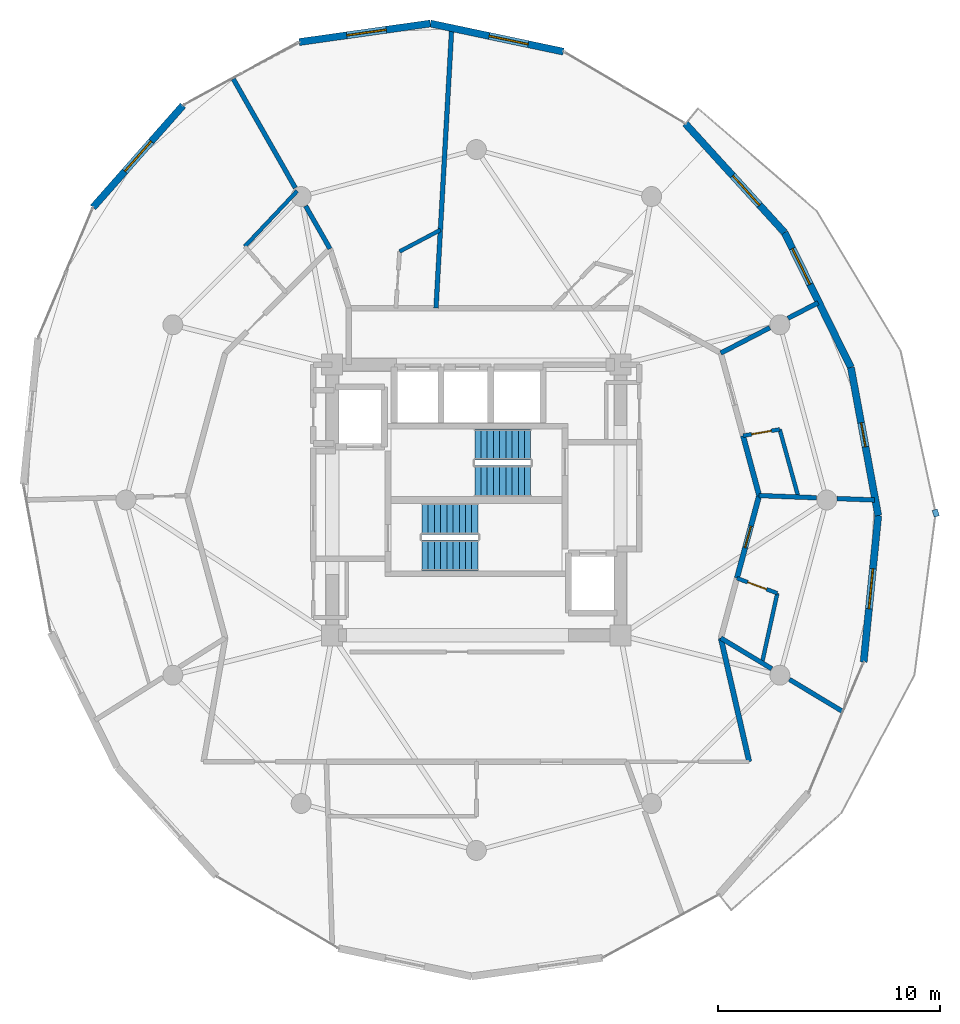
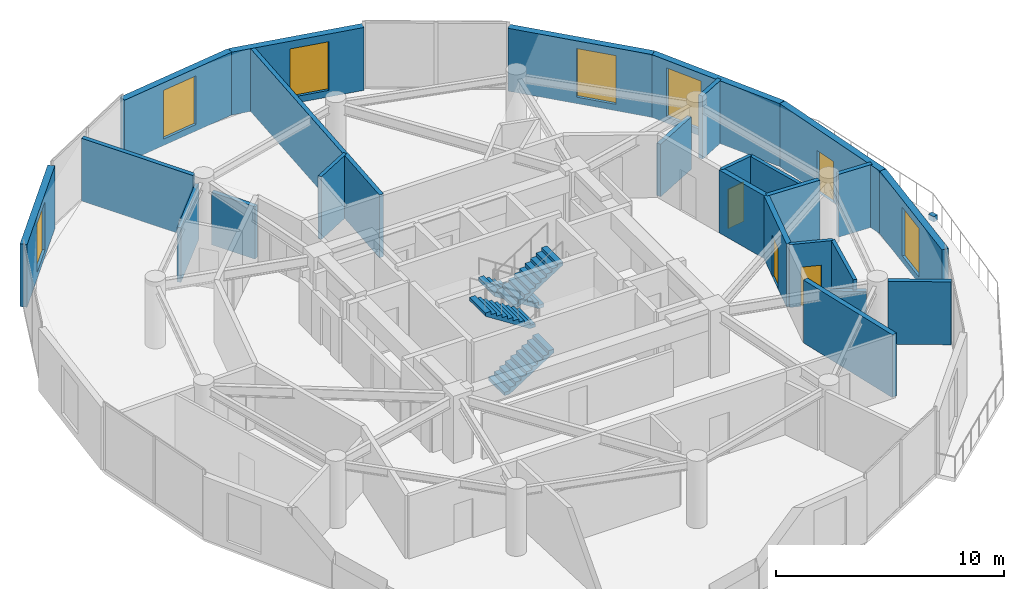
# One storey, part 19 of 21: 25 walls, 6 windows, 4 doors, 4 stair flights, 1 discrete accessory, 10 openings, 2 elements without a shape of their own.
"""IFC4 building model written with IfcOpenShell, lengths in metres."""

from ifc_helpers import new_model, si_unit, direction, frame, frame_2d, origin, origin_2d, place, context, subcontext, project, spatial, polyline, rectangle, outline, extrude, material, layer, layer_set, type_object, element, fill, aggregate, save


model = new_model("IFC4")

# Units and contexts
model_context = context("Model", 3, precision=1e-05, world=origin(), true_north=direction((0.0, 1.0)))
body_context = subcontext(model_context, "Body", "Model", "MODEL_VIEW")
ifc_project = project(units=[si_unit("LENGTHUNIT", "METRE"), si_unit("AREAUNIT", "SQUARE_METRE"), si_unit("VOLUMEUNIT", "CUBIC_METRE"), si_unit("PLANEANGLEUNIT", "RADIAN"), si_unit("MASSUNIT", "GRAM", prefix="KILO")], contexts=[model_context])

# Site, building, storey
site_placement = place(None, origin())
site = spatial("IfcSite", under=ifc_project, at=site_placement, CompositionType="ELEMENT")
building_placement = place(site_placement, origin())
building = spatial("IfcBuilding", under=site, at=building_placement, Name="Solvirekh Grand Hotel", CompositionType="ELEMENT")
storey_placement = place(building_placement, frame((0.0, 0.0, 223.60009765625)))
storey = spatial("IfcBuildingStorey", under=building, at=storey_placement, Name="L58", CompositionType="ELEMENT", Elevation=223.60009765625)

# Wall, opening, window
ifc_material_1 = material(Name="Precast concrete C45/55", Category="concrete")
ifc_layer_1 = layer(ifc_material_1, 0.320068359375)
ifc_layer_set_1 = layer_set([ifc_layer_1], Name="Precast concrete C45/55")
wall_type_1 = type_object("IfcWallType", Name="ExtLobbyWall_RC320", PredefinedType="SOLIDWALL", material=ifc_layer_set_1)
wall_1_placement = place(storey_placement, frame((18.116943359375, -0.700927734375, 0.0), z_axis=(0.0, 0.0, 1.0), x_axis=(-0.098848078175, -0.995102536144, 0.0)))
wall_1 = element("IfcWall", 1, at=wall_1_placement, inside=storey, type_object=wall_type_1, Name="L58 exterior structural wall chord 4", PredefinedType="SOLIDWALL", context=body_context, shape_type="SweptSolid", body=[
    extrude(rectangle(XDim=6.636474609375, YDim=0.320068359375, at=frame_2d((3.318359375, 0.0))), origin(), (0.0, 0.0, 1.0), 3.35986328125),
])
opening_1_placement = place(wall_1_placement, frame((2.41796875, 0.0, 0.35009765625)))
opening_1 = element("IfcOpeningElement", 2, at=opening_1_placement, cuts=wall_1, Name="Opening W02", PredefinedType="OPENING", context=body_context, shape_type="SweptSolid", body=[
    extrude(rectangle(XDim=1.800048828125, YDim=2.60009765625, at=frame_2d((0.89990234375, 1.300048828125))), frame((0.0, 0.169921875, 0.0), z_axis=(0.0, -1.0, 0.0), x_axis=(1.0, 0.0, 0.0)), (0.0, 0.0, 1.0), 0.340087890625),
])
ifc_material_2 = material(Name="Low-E Tinted Bronze Laminated Glass", Category="aluminium")
window_type = type_object("IfcWindowType", Name="Win_LobbyExt_1800X2600", PartitioningType="SINGLE_PANEL", PredefinedType="WINDOW", material=ifc_material_2)
window_1_placement = place(opening_1_placement, origin())
window_1 = element("IfcWindow", 3, at=window_1_placement, inside=storey, type_object=window_type, Name="L58 panoramic bronze-framed window 4", OverallHeight=2.60009765625, OverallWidth=1.800048828125, PartitioningType="SINGLE_PANEL", PredefinedType="WINDOW", context=body_context, shape_type="SweptSolid", body=[
    extrude(rectangle(XDim=1.800048828125, YDim=2.60009765625, at=frame_2d((0.89990234375, 1.300048828125))), frame((0.0, 0.030029296875, 0.0), z_axis=(0.0, -1.0, 0.0), x_axis=(1.0, 0.0, 0.0)), (0.0, 0.0, 1.0), 0.06005859375),
])
fill(opening_1, window_1)

# Wall, opening, door
wall_2_placement = place(storey_placement, frame((16.886962890625, 5.971923828125, 0.0), z_axis=(0.0, 0.0, 1.0), x_axis=(0.181272323457, -0.983432938613, 0.0)))
wall_2 = element("IfcWall", 4, at=wall_2_placement, inside=storey, type_object=wall_type_1, Name="L58 exterior structural wall chord 5", PredefinedType="SOLIDWALL", context=body_context, shape_type="SweptSolid", body=[
    extrude(rectangle(XDim=6.78515625, YDim=0.320068359375, at=frame_2d((3.392578125, 0.0))), origin(), (0.0, 0.0, 1.0), 3.35986328125),
])
opening_2_placement = place(wall_2_placement, frame((2.532958984375, 0.0, 0.0)))
opening_2 = element("IfcOpeningElement", 5, at=opening_2_placement, cuts=wall_2, Name="Opening D03", PredefinedType="OPENING", context=body_context, shape_type="SweptSolid", body=[
    extrude(rectangle(XDim=1.10009765625, YDim=2.199951171875, at=frame_2d((0.550048828125, 1.10009765625))), frame((0.0, 0.169921875, 0.0), z_axis=(0.0, -1.0, 0.0), x_axis=(1.0, 0.0, 0.0)), (0.0, 0.0, 1.0), 0.340087890625),
])
ifc_material_3 = material(Name="Anodized Bronze Aluminium 6063-T6", Category="aluminium")
door_type_1 = type_object("IfcDoorType", Name="Door_ExtBalcony_1100X2200", OperationType="NOTDEFINED", PredefinedType="DOOR", material=ifc_material_3)
door_1_placement = place(opening_2_placement, origin())
door_1 = element("IfcDoor", 6, at=door_1_placement, inside=storey, type_object=door_type_1, Name="L58 Crescent balcony glazed door (5)", OperationType="SINGLE_SWING_RIGHT", OverallHeight=2.199951171875, OverallWidth=1.10009765625, PredefinedType="DOOR", context=body_context, shape_type="SweptSolid", body=[
    extrude(rectangle(XDim=1.10009765625, YDim=2.199951171875, at=frame_2d((0.550048828125, 1.10009765625))), frame((0.0, 0.02490234375, 0.0), z_axis=(0.0, -1.0, 0.0), x_axis=(1.0, 0.0, 0.0)), (0.0, 0.0, 1.0), 0.050048828125),
])
fill(opening_2, door_1)

# Wall, opening, window
wall_3_placement = place(storey_placement, frame((13.89208984375, 12.06005859375, 0.0), z_axis=(0.0, 0.0, 1.0), x_axis=(0.441403728123, -0.897308614022, 0.0)))
wall_3 = element("IfcWall", 7, at=wall_3_placement, inside=storey, type_object=wall_type_1, Name="L58 exterior structural wall chord 6", PredefinedType="SOLIDWALL", context=body_context, shape_type="SweptSolid", body=[
    extrude(rectangle(XDim=6.784912109375, YDim=0.320068359375, at=frame_2d((3.392578125, 0.0))), origin(), (0.0, 0.0, 1.0), 3.35986328125),
])
opening_3_placement = place(wall_3_placement, frame((0.803955078125, 0.0, 0.35009765625)))
opening_3 = element("IfcOpeningElement", 8, at=opening_3_placement, cuts=wall_3, Name="Opening W02", PredefinedType="OPENING", context=body_context, shape_type="SweptSolid", body=[
    extrude(rectangle(XDim=1.800048828125, YDim=2.60009765625, at=frame_2d((0.89990234375, 1.300048828125))), frame((0.0, 0.169921875, 0.0), z_axis=(0.0, -1.0, 0.0), x_axis=(1.0, 0.0, 0.0)), (0.0, 0.0, 1.0), 0.340087890625),
])
window_2_placement = place(opening_3_placement, origin())
window_2 = element("IfcWindow", 9, at=window_2_placement, inside=storey, type_object=window_type, Name="L58 panoramic bronze-framed window 6", OverallHeight=2.60009765625, OverallWidth=1.800048828125, PartitioningType="SINGLE_PANEL", PredefinedType="WINDOW", context=body_context, shape_type="SweptSolid", body=[
    extrude(rectangle(XDim=1.800048828125, YDim=2.60009765625, at=frame_2d((0.89990234375, 1.300048828125))), frame((0.0, 0.030029296875, 0.0), z_axis=(0.0, -1.0, 0.0), x_axis=(1.0, 0.0, 0.0)), (0.0, 0.0, 1.0), 0.06005859375),
])
fill(opening_3, window_2)

wall_4_placement = place(storey_placement, frame((9.424072265625, 16.968017578125, 0.0), z_axis=(0.0, 0.0, 1.0), x_axis=(0.673187110457, -0.739472186302, 0.0)))
wall_4 = element("IfcWall", 10, at=wall_4_placement, inside=storey, type_object=wall_type_1, Name="L58 exterior structural wall chord 7", PredefinedType="SOLIDWALL", context=body_context, shape_type="SweptSolid", body=[
    extrude(rectangle(XDim=6.63720703125, YDim=0.320068359375, at=frame_2d((3.318603515625, 0.0))), origin(), (0.0, 0.0, 1.0), 3.35986328125),
])
opening_4_placement = place(wall_4_placement, frame((3.1650390625, 0.0, 0.35009765625)))
opening_4 = element("IfcOpeningElement", 11, at=opening_4_placement, cuts=wall_4, Name="Opening W02", PredefinedType="OPENING", context=body_context, shape_type="SweptSolid", body=[
    extrude(rectangle(XDim=1.800048828125, YDim=2.60009765625, at=frame_2d((0.89990234375, 1.300048828125))), frame((0.0, 0.169921875, 0.0), z_axis=(0.0, -1.0, 0.0), x_axis=(1.0, 0.0, 0.0)), (0.0, 0.0, 1.0), 0.340087890625),
])
window_3_placement = place(opening_4_placement, origin())
window_3 = element("IfcWindow", 12, at=window_3_placement, inside=storey, type_object=window_type, Name="L58 panoramic bronze-framed window 7", OverallHeight=2.60009765625, OverallWidth=1.800048828125, PartitioningType="SINGLE_PANEL", PredefinedType="WINDOW", context=body_context, shape_type="SweptSolid", body=[
    extrude(rectangle(XDim=1.800048828125, YDim=2.60009765625, at=frame_2d((0.89990234375, 1.300048828125))), frame((0.0, 0.030029296875, 0.0), z_axis=(0.0, -1.0, 0.0), x_axis=(1.0, 0.0, 0.0)), (0.0, 0.0, 1.0), 0.06005859375),
])
fill(opening_4, window_3)

wall_5_placement = place(storey_placement, frame((-2.077880859375, 21.48291015625, 0.0), z_axis=(0.0, 0.0, 1.0), x_axis=(0.978387673067, -0.206779015353, 0.0)))
wall_5 = element("IfcWall", 13, at=wall_5_placement, inside=storey, type_object=wall_type_1, Name="L58 exterior structural wall chord 9", PredefinedType="SOLIDWALL", context=body_context, shape_type="SweptSolid", body=[
    extrude(rectangle(XDim=6.13134765625, YDim=0.320068359375, at=frame_2d((3.065673828125, 0.0))), origin(), (0.0, 0.0, 1.0), 3.35986328125),
])
opening_5_placement = place(wall_5_placement, frame((2.712890625, 0.0, 0.35009765625)))
opening_5 = element("IfcOpeningElement", 14, at=opening_5_placement, cuts=wall_5, Name="Opening W02", PredefinedType="OPENING", context=body_context, shape_type="SweptSolid", body=[
    extrude(rectangle(XDim=1.800048828125, YDim=2.60009765625, at=frame_2d((0.89990234375, 1.300048828125))), frame((0.0, 0.169921875, 0.0), z_axis=(0.0, -1.0, 0.0), x_axis=(1.0, 0.0, 0.0)), (0.0, 0.0, 1.0), 0.340087890625),
])
window_4_placement = place(opening_5_placement, origin())
window_4 = element("IfcWindow", 15, at=window_4_placement, inside=storey, type_object=window_type, Name="L58 panoramic bronze-framed window 9", OverallHeight=2.60009765625, OverallWidth=1.800048828125, PartitioningType="SINGLE_PANEL", PredefinedType="WINDOW", context=body_context, shape_type="SweptSolid", body=[
    extrude(rectangle(XDim=1.800048828125, YDim=2.60009765625, at=frame_2d((0.89990234375, 1.300048828125))), frame((0.0, 0.030029296875, 0.0), z_axis=(0.0, -1.0, 0.0), x_axis=(1.0, 0.0, 0.0)), (0.0, 0.0, 1.0), 0.06005859375),
])
fill(opening_5, window_4)

wall_6_placement = place(storey_placement, frame((-7.987060546875, 20.64794921875, 0.0), z_axis=(0.0, 0.0, 1.0), x_axis=(0.990164339135, 0.13990919021, 0.0)))
wall_6 = element("IfcWall", 16, at=wall_6_placement, inside=storey, type_object=wall_type_1, Name="L58 exterior structural wall chord 10", PredefinedType="SOLIDWALL", context=body_context, shape_type="SweptSolid", body=[
    extrude(rectangle(XDim=5.9677734375, YDim=0.320068359375, at=frame_2d((2.98388671875, 0.0))), origin(), (0.0, 0.0, 1.0), 3.35986328125),
])
opening_6_placement = place(wall_6_placement, frame((2.1669921875, 0.0, 0.35009765625)))
opening_6 = element("IfcOpeningElement", 17, at=opening_6_placement, cuts=wall_6, Name="Opening W02", PredefinedType="OPENING", context=body_context, shape_type="SweptSolid", body=[
    extrude(rectangle(XDim=1.800048828125, YDim=2.60009765625, at=frame_2d((0.89990234375, 1.300048828125))), frame((0.0, 0.169921875, 0.0), z_axis=(0.0, -1.0, 0.0), x_axis=(1.0, 0.0, 0.0)), (0.0, 0.0, 1.0), 0.340087890625),
])
window_5_placement = place(opening_6_placement, origin())
window_5 = element("IfcWindow", 18, at=window_5_placement, inside=storey, type_object=window_type, Name="L58 panoramic bronze-framed window 10", OverallHeight=2.60009765625, OverallWidth=1.800048828125, PartitioningType="SINGLE_PANEL", PredefinedType="WINDOW", context=body_context, shape_type="SweptSolid", body=[
    extrude(rectangle(XDim=1.800048828125, YDim=2.60009765625, at=frame_2d((0.89990234375, 1.300048828125))), frame((0.0, 0.030029296875, 0.0), z_axis=(0.0, -1.0, 0.0), x_axis=(1.0, 0.0, 0.0)), (0.0, 0.0, 1.0), 0.06005859375),
])
fill(opening_6, window_5)

wall_7_placement = place(storey_placement, frame((-17.282958984375, 13.194091796875, 0.0), z_axis=(0.0, 0.0, 1.0), x_axis=(0.661613735925, 0.749844826905, 0.0)))
wall_7 = element("IfcWall", 19, at=wall_7_placement, inside=storey, type_object=wall_type_1, Name="L58 exterior structural wall chord 12", PredefinedType="SOLIDWALL", context=body_context, shape_type="SweptSolid", body=[
    extrude(rectangle(XDim=6.1318359375, YDim=0.320068359375, at=frame_2d((3.06591796875, 0.0))), origin(), (0.0, 0.0, 1.0), 3.35986328125),
])
opening_7_placement = place(wall_7_placement, frame((2.166015625, 0.0, 0.35009765625)))
opening_7 = element("IfcOpeningElement", 20, at=opening_7_placement, cuts=wall_7, Name="Opening W02", PredefinedType="OPENING", context=body_context, shape_type="SweptSolid", body=[
    extrude(rectangle(XDim=1.800048828125, YDim=2.60009765625, at=frame_2d((0.89990234375, 1.300048828125))), frame((0.0, 0.169921875, 0.0), z_axis=(0.0, -1.0, 0.0), x_axis=(1.0, 0.0, 0.0)), (0.0, 0.0, 1.0), 0.340087890625),
])
window_6_placement = place(opening_7_placement, origin())
window_6 = element("IfcWindow", 21, at=window_6_placement, inside=storey, type_object=window_type, Name="L58 panoramic bronze-framed window 12", OverallHeight=2.60009765625, OverallWidth=1.800048828125, PartitioningType="SINGLE_PANEL", PredefinedType="WINDOW", context=body_context, shape_type="SweptSolid", body=[
    extrude(rectangle(XDim=1.800048828125, YDim=2.60009765625, at=frame_2d((0.89990234375, 1.300048828125))), frame((0.0, 0.030029296875, 0.0), z_axis=(0.0, -1.0, 0.0), x_axis=(1.0, 0.0, 0.0)), (0.0, 0.0, 1.0), 0.06005859375),
])
fill(opening_7, window_6)

# Wall, opening, door
ifc_material_4 = material(Name="Acoustic Gypsum Partition Assembly")
ifc_layer_2 = layer(ifc_material_4, 0.239990234375)
ifc_layer_set_2 = layer_set([ifc_layer_2], Name="Acoustic Gypsum Partition Assembly")
wall_type_2 = type_object("IfcWallType", Name="Part_Corridor_240", PredefinedType="PARTITIONING", material=ifc_layer_set_2)
wall_8_placement = place(storey_placement, frame((11.748046875, -3.52587890625, 0.0), z_axis=(0.0, 0.0, 1.0), x_axis=(0.259694339612, 0.965690866672, 0.0)))
wall_8 = element("IfcWall", 22, at=wall_8_placement, inside=storey, type_object=wall_type_2, Name="L58 Deluxe Guestroom 6004 entrance wall", PredefinedType="PARTITIONING", context=body_context, shape_type="SweptSolid", body=[
    extrude(rectangle(XDim=3.858154296875, YDim=0.239990234375, at=frame_2d((1.92919921875, 0.0))), origin(), (0.0, 0.0, 1.0), 3.35986328125),
])
opening_8_placement = place(wall_8_placement, frame((1.428955078125, 0.0, 0.0)))
opening_8 = element("IfcOpeningElement", 23, at=opening_8_placement, cuts=wall_8, Name="Opening D07", PredefinedType="OPENING", context=body_context, shape_type="SweptSolid", body=[
    extrude(rectangle(XDim=1.0, YDim=2.199951171875, at=frame_2d((0.5, 1.10009765625))), frame((0.0, 0.1298828125, 0.0), z_axis=(0.0, -1.0, 0.0), x_axis=(1.0, 0.0, 0.0)), (0.0, 0.0, 1.0), 0.260009765625),
])
ifc_material_5 = material(Name="Fire-Rated Steel Door Assembly", Category="steel")
door_type_2 = type_object("IfcDoorType", Name="Door_GuestEntry_1000X2200", OperationType="NOTDEFINED", PredefinedType="DOOR", material=ifc_material_5)
door_2_placement = place(opening_8_placement, origin())
door_2 = element("IfcDoor", 24, at=door_2_placement, inside=storey, type_object=door_type_2, Name="L58 Deluxe Guestroom 6004 entrance door", OperationType="SINGLE_SWING_LEFT", OverallHeight=2.199951171875, OverallWidth=1.0, PredefinedType="DOOR", context=body_context, shape_type="SweptSolid", body=[
    extrude(rectangle(XDim=1.0, YDim=2.199951171875, at=frame_2d((0.5, 1.10009765625))), frame((0.0, 0.02490234375, 0.0), z_axis=(0.0, -1.0, 0.0), x_axis=(1.0, 0.0, 0.0)), (0.0, 0.0, 1.0), 0.050048828125),
])
fill(opening_8, door_2)

# Walls
wall_9_placement = place(storey_placement, frame((12.75, 0.199951171875, 0.0), z_axis=(0.0, 0.0, 1.0), x_axis=(-0.259870061474, 0.965643594267, 0.0)))
element("IfcWall", 25, at=wall_9_placement, inside=storey, type_object=wall_type_2, Name="L58 En-suite Bathroom 6005 corridor backing wall", PredefinedType="PARTITIONING", context=body_context, shape_type="SweptSolid", body=[
    extrude(rectangle(XDim=2.7939453125, YDim=0.239990234375, at=frame_2d((1.39697265625, 0.0))), origin(), (0.0, 0.0, 1.0), 3.35986328125),
])
wall_10_placement = place(storey_placement, frame((12.300048828125, -11.800048828125, 0.0), z_axis=(0.0, 0.0, 1.0), x_axis=(-0.223456421134, 0.974713921032, 0.0)))
element("IfcWall", 26, at=wall_10_placement, inside=storey, type_object=wall_type_2, Name="L58 L58 Butler Valet & Linen Steward Room corridor wall 1", PredefinedType="PARTITIONING", context=body_context, shape_type="SweptSolid", body=[
    extrude(rectangle(XDim=5.719482421875, YDim=0.239990234375, at=frame_2d((2.85986328125, 0.0))), origin(), (0.0, 0.0, 1.0), 3.35986328125),
])
ifc_layer_3 = layer(ifc_material_4, 0.2099609375)
ifc_layer_set_3 = layer_set([ifc_layer_3], Name="Acoustic Gypsum Partition Assembly")
wall_type_3 = type_object("IfcWallType", Name="Part_SuiteDemise_210", PredefinedType="PARTITIONING", material=ifc_layer_set_3)
wall_11_placement = place(storey_placement, frame((12.75, 0.199951171875, 0.0), z_axis=(0.0, 0.0, 1.0), x_axis=(0.999258251159, -0.038509057262, 0.0)))
element("IfcWall", 27, at=wall_11_placement, inside=storey, type_object=wall_type_3, Name="L58 suite radial wall 1 (A)", PredefinedType="PARTITIONING", context=body_context, shape_type="SweptSolid", body=[
    extrude(rectangle(XDim=2.593017578125, YDim=0.2099609375, at=frame_2d((1.29638671875, 0.0))), origin(), (0.0, 0.0, 1.0), 3.35986328125),
])
wall_12_placement = place(storey_placement, frame((16.26611328125, 0.06494140625, 0.0), z_axis=(0.0, 0.0, 1.0), x_axis=(0.999255378418, -0.03858352891, 0.0)))
element("IfcWall", 28, at=wall_12_placement, inside=storey, type_object=wall_type_3, Name="L58 suite radial wall 1 (B)", PredefinedType="PARTITIONING", context=body_context, shape_type="SweptSolid", body=[
    extrude(rectangle(XDim=1.68310546875, YDim=0.2099609375, at=frame_2d((0.841552734375, 0.0))), origin(), (0.0, 0.0, 1.0), 3.35986328125),
])
wall_13_placement = place(storey_placement, frame((11.02197265625, 6.625, 0.0), z_axis=(0.0, 0.0, 1.0), x_axis=(0.88806021567, 0.459727150975, 0.0)))
element("IfcWall", 29, at=wall_13_placement, inside=storey, type_object=wall_type_3, Name="L58 suite radial wall 2 (A)", PredefinedType="PARTITIONING", context=body_context, shape_type="SweptSolid", body=[
    extrude(rectangle(XDim=2.488525390625, YDim=0.2099609375, at=frame_2d((1.244140625, 0.0))), origin(), (0.0, 0.0, 1.0), 2.80078125),
])
wall_14_placement = place(storey_placement, frame((14.051025390625, 8.193115234375, 0.0), z_axis=(0.0, 0.0, 1.0), x_axis=(0.888062122288, 0.459723467921, 0.0)))
element("IfcWall", 30, at=wall_14_placement, inside=storey, type_object=wall_type_3, Name="L58 suite radial wall 2 (B)", PredefinedType="PARTITIONING", context=body_context, shape_type="SweptSolid", body=[
    extrude(rectangle(XDim=1.524658203125, YDim=0.2099609375, at=frame_2d((0.76220703125, 0.0))), origin(), (0.0, 0.0, 1.0), 3.35986328125),
])
wall_15_placement = place(storey_placement, frame((-6.60009765625, 11.327880859375, 0.0), z_axis=(0.0, 0.0, 1.0), x_axis=(-0.494753305644, 0.869033466878, 0.0)))
element("IfcWall", 31, at=wall_15_placement, inside=storey, type_object=wall_type_3, Name="L58 suite radial wall 5 (A)", PredefinedType="PARTITIONING", context=body_context, shape_type="SweptSolid", body=[
    extrude(rectangle(XDim=2.220947265625, YDim=0.2099609375, at=frame_2d((1.1103515625, 0.0))), origin(), (0.0, 0.0, 1.0), 2.80078125),
])
wall_16_placement = place(storey_placement, frame((-8.1630859375, 14.072998046875, 0.0), z_axis=(0.0, 0.0, 1.0), x_axis=(-0.494909777101, 0.868944366763, 0.0)))
element("IfcWall", 32, at=wall_16_placement, inside=storey, type_object=wall_type_3, Name="L58 suite radial wall 5 (B)", PredefinedType="PARTITIONING", context=body_context, shape_type="SweptSolid", body=[
    extrude(rectangle(XDim=5.6494140625, YDim=0.2099609375, at=frame_2d((2.82470703125, 0.0))), origin(), (0.0, 0.0, 1.0), 3.35986328125),
])
wall_17_placement = place(storey_placement, frame((11.02197265625, -6.22509765625, 0.0), z_axis=(0.0, 0.0, 1.0), x_axis=(0.856493544161, -0.516157736366, 0.0)))
element("IfcWall", 33, at=wall_17_placement, inside=storey, type_object=wall_type_3, Name="L58 suite radial wall 12 (A)", PredefinedType="PARTITIONING", context=body_context, shape_type="SweptSolid", body=[
    extrude(rectangle(XDim=2.67724609375, YDim=0.2099609375, at=frame_2d((1.338623046875, 0.0))), origin(), (0.0, 0.0, 1.0), 2.80078125),
])
wall_18_placement = place(storey_placement, frame((14.114013671875, -8.087890625, 0.0), z_axis=(0.0, 0.0, 1.0), x_axis=(0.856324704074, -0.516437799926, 0.0)))
element("IfcWall", 34, at=wall_18_placement, inside=storey, type_object=wall_type_3, Name="L58 suite radial wall 12 (B)", PredefinedType="PARTITIONING", context=body_context, shape_type="SweptSolid", body=[
    extrude(rectangle(XDim=2.771240234375, YDim=0.2099609375, at=frame_2d((1.3857421875, 0.0))), origin(), (0.0, 0.0, 1.0), 3.35986328125),
])
wall_19_placement = place(storey_placement, frame((-1.820068359375, 8.64990234375, 0.0), z_axis=(0.0, 0.0, 1.0), x_axis=(0.056069425864, 0.998426872376, 0.0)))
element("IfcWall", 35, at=wall_19_placement, inside=storey, type_object=wall_type_3, Name="L58 Panorama Suite 6001 North Observatory Study dividing partition 1", PredefinedType="PARTITIONING", context=body_context, shape_type="SweptSolid", body=[
    extrude(rectangle(XDim=12.60986328125, YDim=0.2099609375, at=frame_2d((6.304931640625, 0.0))), origin(), (0.0, 0.0, 1.0), 3.35986328125),
])
ifc_layer_4 = layer(ifc_material_4, 0.175048828125)
ifc_layer_set_4 = layer_set([ifc_layer_4], Name="Acoustic Gypsum Partition Assembly")
wall_type_4 = type_object("IfcWallType", Name="Plumb_Ensuite_175", PredefinedType="PLUMBINGWALL", material=ifc_layer_set_4)
wall_20_placement = place(storey_placement, frame((-3.4609375, 11.2041015625, 0.0), z_axis=(0.0, 0.0, 1.0), x_axis=(0.884298578972, 0.466921859874, 0.0)))
element("IfcWall", 36, at=wall_20_placement, inside=storey, type_object=wall_type_4, Name="L58 En-suite Bathroom 6002 outer plumbing wall", PredefinedType="PLUMBINGWALL", context=body_context, shape_type="SweptSolid", body=[
    extrude(rectangle(XDim=2.079345703125, YDim=0.175048828125, at=frame_2d((1.03955078125, 0.0))), origin(), (0.0, 0.0, 1.0), 3.35986328125),
])
wall_21_placement = place(storey_placement, frame((-8.08203125, 13.929931640625, 0.0), z_axis=(0.0, 0.0, 1.0), x_axis=(-0.686486009921, -0.727143010819, 0.0)))
element("IfcWall", 37, at=wall_21_placement, inside=storey, type_object=wall_type_4, Name="L58 En-suite Bathroom 6003 outer plumbing wall", PredefinedType="PLUMBINGWALL", context=body_context, shape_type="SweptSolid", body=[
    extrude(rectangle(XDim=3.44091796875, YDim=0.175048828125, at=frame_2d((1.720458984375, 0.0))), origin(), (0.0, 0.0, 1.0), 2.928955078125),
])
wall_22_placement = place(storey_placement, frame((12.8798828125, -7.344970703125, 0.0), z_axis=(0.0, 0.0, 1.0), x_axis=(0.214043321531, 0.976824168675, 0.0)))
element("IfcWall", 38, at=wall_22_placement, inside=storey, type_object=wall_type_4, Name="L58 En-suite Bathroom 6004 outer plumbing wall", PredefinedType="PLUMBINGWALL", context=body_context, shape_type="SweptSolid", body=[
    extrude(rectangle(XDim=3.21533203125, YDim=0.175048828125, at=frame_2d((1.607666015625, 0.0))), origin(), (0.0, 0.0, 1.0), 3.35986328125),
])

# Wall, opening, door
wall_23_placement = place(storey_placement, frame((11.748046875, -3.52587890625, 0.0), z_axis=(0.0, 0.0, 1.0), x_axis=(0.937055504851, -0.349180441647, 0.0)))
wall_23 = element("IfcWall", 39, at=wall_23_placement, inside=storey, type_object=wall_type_4, Name="L58 En-suite Bathroom 6004 entry plumbing wall", PredefinedType="PLUMBINGWALL", context=body_context, shape_type="SweptSolid", body=[
    extrude(rectangle(XDim=1.9423828125, YDim=0.175048828125, at=frame_2d((0.97119140625, 0.0))), origin(), (0.0, 0.0, 1.0), 3.35986328125),
])
opening_9_placement = place(wall_23_placement, frame((0.52099609375, 0.0, 0.0)))
opening_9 = element("IfcOpeningElement", 40, at=opening_9_placement, cuts=wall_23, Name="Opening D09", PredefinedType="OPENING", context=body_context, shape_type="SweptSolid", body=[
    extrude(rectangle(XDim=0.89990234375, YDim=2.10009765625, at=frame_2d((0.449951171875, 1.050048828125))), frame((0.0, 0.09765625, 0.0), z_axis=(0.0, -1.0, 0.0), x_axis=(1.0, 0.0, 0.0)), (0.0, 0.0, 1.0), 0.195068359375),
])
door_type_3 = type_object("IfcDoorType", Name="Door_Ensuite_900X2100", OperationType="NOTDEFINED", PredefinedType="DOOR", material=ifc_material_3)
door_3_placement = place(opening_9_placement, origin())
door_3 = element("IfcDoor", 41, at=door_3_placement, inside=storey, type_object=door_type_3, Name="L58 En-suite Bathroom 6004 door", OperationType="SINGLE_SWING_RIGHT", OverallHeight=2.10009765625, OverallWidth=0.89990234375, PredefinedType="DOOR", context=body_context, shape_type="SweptSolid", body=[
    extrude(rectangle(XDim=0.89990234375, YDim=2.10009765625, at=frame_2d((0.449951171875, 1.050048828125))), frame((0.0, 0.02490234375, 0.0), z_axis=(0.0, -1.0, 0.0), x_axis=(1.0, 0.0, 0.0)), (0.0, 0.0, 1.0), 0.050048828125),
])
fill(opening_9, door_3)

# Wall
wall_24_placement = place(storey_placement, frame((14.51708984375, 0.132080078125, 0.0), z_axis=(0.0, 0.0, 1.0), x_axis=(-0.266040224846, 0.963961928068, 0.0)))
element("IfcWall", 42, at=wall_24_placement, inside=storey, type_object=wall_type_4, Name="L58 En-suite Bathroom 6005 outer plumbing wall", PredefinedType="PLUMBINGWALL", context=body_context, shape_type="SweptSolid", body=[
    extrude(rectangle(XDim=3.1650390625, YDim=0.175048828125, at=frame_2d((1.58251953125, 0.0))), origin(), (0.0, 0.0, 1.0), 3.35986328125),
])

# Wall, opening, door
wall_25_placement = place(storey_placement, frame((12.02392578125, 2.89794921875, 0.0), z_axis=(0.0, 0.0, 1.0), x_axis=(0.985412124635, 0.170185030545, 0.0)))
wall_25 = element("IfcWall", 43, at=wall_25_placement, inside=storey, type_object=wall_type_4, Name="L58 En-suite Bathroom 6005 entry plumbing wall", PredefinedType="PLUMBINGWALL", context=body_context, shape_type="SweptSolid", body=[
    extrude(rectangle(XDim=1.675537109375, YDim=0.175048828125, at=frame_2d((0.837890625, 0.0))), origin(), (0.0, 0.0, 1.0), 3.35986328125),
])
opening_10_placement = place(wall_25_placement, frame((0.387939453125, 0.0, 0.0)))
opening_10 = element("IfcOpeningElement", 44, at=opening_10_placement, cuts=wall_25, Name="Opening D09", PredefinedType="OPENING", context=body_context, shape_type="SweptSolid", body=[
    extrude(rectangle(XDim=0.89990234375, YDim=2.10009765625, at=frame_2d((0.449951171875, 1.050048828125))), frame((0.0, 0.09765625, 0.0), z_axis=(0.0, -1.0, 0.0), x_axis=(1.0, 0.0, 0.0)), (0.0, 0.0, 1.0), 0.195068359375),
])
door_4_placement = place(opening_10_placement, origin())
door_4 = element("IfcDoor", 45, at=door_4_placement, inside=storey, type_object=door_type_3, Name="L58 En-suite Bathroom 6005 door", OperationType="SINGLE_SWING_RIGHT", OverallHeight=2.10009765625, OverallWidth=0.89990234375, PredefinedType="DOOR", context=body_context, shape_type="SweptSolid", body=[
    extrude(rectangle(XDim=0.89990234375, YDim=2.10009765625, at=frame_2d((0.449951171875, 1.050048828125))), frame((0.0, 0.02490234375, 0.0), z_axis=(0.0, -1.0, 0.0), x_axis=(1.0, 0.0, 0.0)), (0.0, 0.0, 1.0), 0.050048828125),
])
fill(opening_10, door_4)

# Stair, stair flights
ifc_material_6 = material(Name="Concrete C40/50", Category="concrete")
stair_type = type_object("IfcStairType", Name="Stair_Core_1450", PredefinedType="HALF_TURN_STAIR", material=ifc_material_6)
stair_1_placement = place(storey_placement, origin())
stair_1 = element("IfcStair", 46, at=stair_1_placement, inside=storey, type_object=stair_type, Name="L58 Enclosed exit stair ST-1", PredefinedType="HALF_TURN_STAIR")
stair_flight_type = type_object("IfcStairFlightType", Name="Flight_Core_1450", PredefinedType="STRAIGHT", material=ifc_material_6)
stair_flight_1_placement = place(storey_placement, frame((-2.449951171875, -2.5, 0.0), z_axis=(0.0, 0.0, 1.0), x_axis=(1.0, 0.0, 0.0)))
stair_flight_1 = element("IfcStairFlight", 47, at=stair_flight_1_placement, type_object=stair_flight_type, Name="ST-1 flight 1", NumberOfRisers=10, NumberOfTreads=9, PredefinedType="STRAIGHT", RiserHeight=0.18, TreadLength=0.28, context=body_context, shape_type="SweptSolid", body=[
    extrude(outline(polyline([(0.0, 0.0), (0.0, 0.179931640625), (0.280029296875, 0.179931640625), (0.280029296875, 0.360107421875), (0.56005859375, 0.360107421875), (0.56005859375, 0.5400390625), (0.840087890625, 0.5400390625), (0.840087890625, 0.719970703125), (1.1201171875, 0.719970703125), (1.1201171875, 0.89990234375), (1.39990234375, 0.89990234375), (1.39990234375, 1.080078125), (1.679931640625, 1.080078125), (1.679931640625, 1.260009765625), (1.9599609375, 1.260009765625), (1.9599609375, 1.43994140625), (2.239990234375, 1.43994140625), (2.239990234375, 1.6201171875), (2.52001953125, 1.6201171875), (2.52001953125, 1.800048828125), (2.52001953125, 1.44189453125), (0.277099609375, 0.0), (0.0, 0.0)])), frame((0.0, 0.699951171875, 0.0), z_axis=(0.0, -1.0, 0.0), x_axis=(1.0, 0.0, 0.0)), (0.0, 0.0, 1.0), 1.39990234375),
])
stair_flight_2_placement = place(storey_placement, frame((0.070068359375, -0.85009765625, 1.7998046875), z_axis=(0.0, 0.0, 1.0), x_axis=(-1.0, 0.0, 0.0)))
stair_flight_2 = element("IfcStairFlight", 48, at=stair_flight_2_placement, type_object=stair_flight_type, Name="ST-1 flight 2", NumberOfRisers=10, NumberOfTreads=9, PredefinedType="STRAIGHT", RiserHeight=0.18, TreadLength=0.28, context=body_context, shape_type="SweptSolid", body=[
    extrude(outline(polyline([(0.0, 0.0), (0.0, 0.179931640625), (0.280029296875, 0.179931640625), (0.280029296875, 0.360107421875), (0.56005859375, 0.360107421875), (0.56005859375, 0.5400390625), (0.840087890625, 0.5400390625), (0.840087890625, 0.719970703125), (1.1201171875, 0.719970703125), (1.1201171875, 0.89990234375), (1.39990234375, 0.89990234375), (1.39990234375, 1.080078125), (1.679931640625, 1.080078125), (1.679931640625, 1.260009765625), (1.9599609375, 1.260009765625), (1.9599609375, 1.43994140625), (2.239990234375, 1.43994140625), (2.239990234375, 1.6201171875), (2.52001953125, 1.6201171875), (2.52001953125, 1.800048828125), (2.52001953125, 1.44189453125), (0.277099609375, 0.0), (0.0, 0.0)])), frame((0.0, 0.699951171875, 0.0), z_axis=(0.0, -1.0, 0.0), x_axis=(1.0, 0.0, 0.0)), (0.0, 0.0, 1.0), 1.39990234375),
])
aggregate(stair_1, [stair_flight_1, stair_flight_2])

stair_2_placement = place(storey_placement, origin())
stair_2 = element("IfcStair", 49, at=stair_2_placement, inside=storey, type_object=stair_type, Name="L58 Enclosed exit stair ST-2", PredefinedType="HALF_TURN_STAIR")
stair_flight_3_placement = place(storey_placement, frame((2.449951171875, 2.5, 0.0), z_axis=(0.0, 0.0, 1.0), x_axis=(-1.0, 0.0, 0.0)))
stair_flight_3 = element("IfcStairFlight", 50, at=stair_flight_3_placement, type_object=stair_flight_type, Name="ST-2 flight 1", NumberOfRisers=10, NumberOfTreads=9, PredefinedType="STRAIGHT", RiserHeight=0.18, TreadLength=0.28, context=body_context, shape_type="SweptSolid", body=[
    extrude(outline(polyline([(0.0, 0.0), (0.0, 0.179931640625), (0.280029296875, 0.179931640625), (0.280029296875, 0.360107421875), (0.56005859375, 0.360107421875), (0.56005859375, 0.5400390625), (0.840087890625, 0.5400390625), (0.840087890625, 0.719970703125), (1.1201171875, 0.719970703125), (1.1201171875, 0.89990234375), (1.39990234375, 0.89990234375), (1.39990234375, 1.080078125), (1.679931640625, 1.080078125), (1.679931640625, 1.260009765625), (1.9599609375, 1.260009765625), (1.9599609375, 1.43994140625), (2.239990234375, 1.43994140625), (2.239990234375, 1.6201171875), (2.52001953125, 1.6201171875), (2.52001953125, 1.800048828125), (2.52001953125, 1.44189453125), (0.277099609375, 0.0), (0.0, 0.0)])), frame((0.0, 0.699951171875, 0.0), z_axis=(0.0, -1.0, 0.0), x_axis=(1.0, 0.0, 0.0)), (0.0, 0.0, 1.0), 1.39990234375),
])
stair_flight_4_placement = place(storey_placement, frame((-0.070068359375, 0.85009765625, 1.7998046875), z_axis=(0.0, 0.0, 1.0), x_axis=(1.0, 0.0, 0.0)))
stair_flight_4 = element("IfcStairFlight", 51, at=stair_flight_4_placement, type_object=stair_flight_type, Name="ST-2 flight 2", NumberOfRisers=10, NumberOfTreads=9, PredefinedType="STRAIGHT", RiserHeight=0.18, TreadLength=0.28, context=body_context, shape_type="SweptSolid", body=[
    extrude(outline(polyline([(0.0, 0.0), (0.0, 0.179931640625), (0.280029296875, 0.179931640625), (0.280029296875, 0.360107421875), (0.56005859375, 0.360107421875), (0.56005859375, 0.5400390625), (0.840087890625, 0.5400390625), (0.840087890625, 0.719970703125), (1.1201171875, 0.719970703125), (1.1201171875, 0.89990234375), (1.39990234375, 0.89990234375), (1.39990234375, 1.080078125), (1.679931640625, 1.080078125), (1.679931640625, 1.260009765625), (1.9599609375, 1.260009765625), (1.9599609375, 1.43994140625), (2.239990234375, 1.43994140625), (2.239990234375, 1.6201171875), (2.52001953125, 1.6201171875), (2.52001953125, 1.800048828125), (2.52001953125, 1.44189453125), (0.277099609375, 0.0), (0.0, 0.0)])), frame((0.0, 0.699951171875, 0.0), z_axis=(0.0, -1.0, 0.0), x_axis=(1.0, 0.0, 0.0)), (0.0, 0.0, 1.0), 1.39990234375),
])
aggregate(stair_2, [stair_flight_3, stair_flight_4])

# Discrete accessory
ifc_material_7 = material(Name="Steel S355", Category="steel")
discrete_accessory_type = type_object("IfcDiscreteAccessoryType", Name="Acc_ThermalBracket", PredefinedType="BRACKET", material=ifc_material_7)
discrete_accessory_placement = place(storey_placement, frame((20.714111328125, -0.587890625, -0.2802734375), z_axis=(0.0, 0.0, 1.0), x_axis=(0.313992455967, -0.949425477642, 0.0)))
element("IfcDiscreteAccessory", 52, at=discrete_accessory_placement, inside=storey, type_object=discrete_accessory_type, Name="L58 balcony thermal-break bracket", PredefinedType="BRACKET", context=body_context, shape_type="SweptSolid", body=[
    extrude(rectangle(XDim=0.320068359375, YDim=0.239990234375, at=origin_2d()), origin(), (0.0, 0.0, 1.0), 0.280029296875),
])

save(model, "model.ifc")
